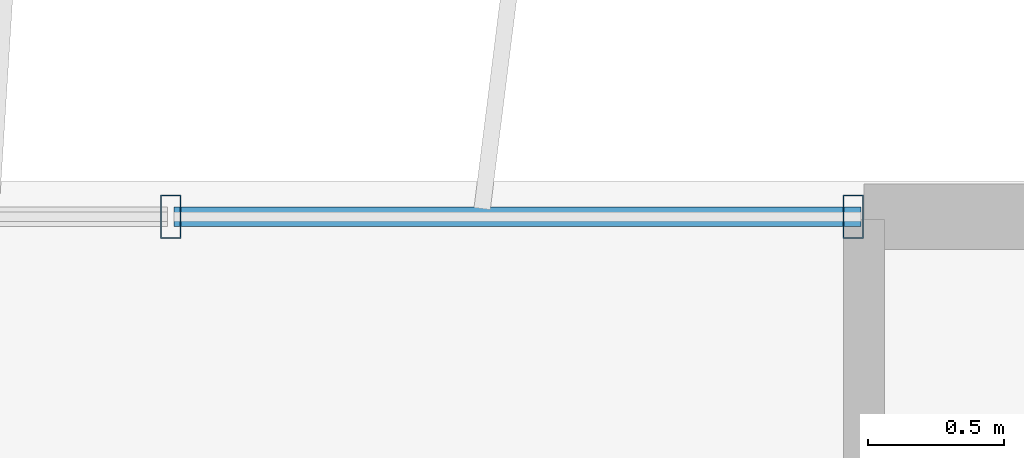
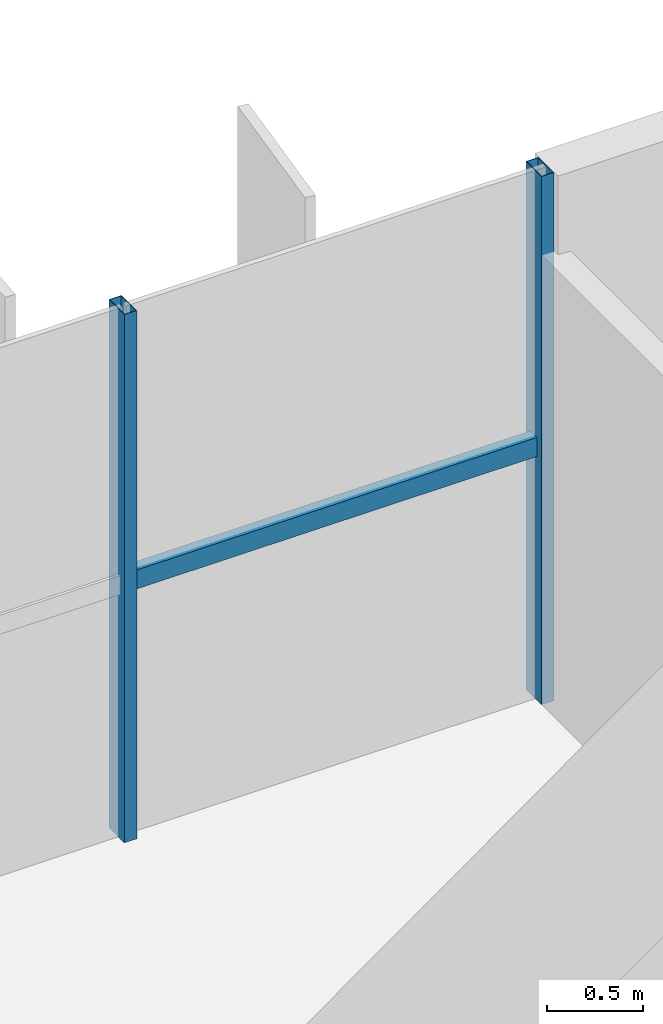
# One storey, part 12 of 22: 3 members, 1 element without a shape of its own.
"""IFC4 building model written with IfcOpenShell, lengths in metres."""

from ifc_helpers import new_model, si_unit, direction, frame, origin, origin_2d, place, context, subcontext, project, spatial, hollow_rectangle, extrude, source, transform, mapped, material, material_profile, profile_set, type_object, element, aggregate, save


model = new_model("IFC4")

# Units and contexts
model_context = context("Model", 3, precision=1e-05, world=origin(), true_north=direction((0.0, 1.0)))
body_context = subcontext(model_context, "Body", "Model", "MODEL_VIEW")
ifc_project = project(units=[si_unit("LENGTHUNIT", "METRE"), si_unit("AREAUNIT", "SQUARE_METRE"), si_unit("VOLUMEUNIT", "CUBIC_METRE"), si_unit("PLANEANGLEUNIT", "RADIAN"), si_unit("MASSUNIT", "GRAM", prefix="KILO")], contexts=[model_context])

# Site, building, storey
site_placement = place(None, origin())
site = spatial("IfcSite", under=ifc_project, at=site_placement, CompositionType="ELEMENT")
building_placement = place(site_placement, origin())
building = spatial("IfcBuilding", under=site, at=building_placement, Name="Trelvane Seafront Commons", CompositionType="ELEMENT")
storey_placement = place(building_placement, frame((0.0, 0.0, 139.300048828125)))
storey = spatial("IfcBuildingStorey", under=building, at=storey_placement, Name="L36", CompositionType="ELEMENT", Elevation=139.300048828125)

# Curtain wall, members
ifc_material = material(Name="Anodised pale-silver aluminium", Category="aluminium")
curtain_wall_type = type_object("IfcCurtainWallType", Name="ARCH-CW5-UPTOWER", PredefinedType="NOTDEFINED", material=ifc_material)
curtain_wall_placement = place(storey_placement, origin())
curtain_wall = element("IfcCurtainWall", 1, at=curtain_wall_placement, inside=storey, type_object=curtain_wall_type, Name="CW-L36-0063", PredefinedType="NOTDEFINED")
ifc_material_profile_1 = material_profile(ifc_material, hollow_rectangle(XDim=0.070068359375, YDim=0.1201171875, WallThickness=0.00390625, at=origin_2d()), Name="TRAN-70x120x4")
ifc_profile_set_1 = profile_set([ifc_material_profile_1], Name="Anodised pale-silver aluminium")
member_type_1 = type_object("IfcMemberType", Name="ARCH-CW-TRAN-120", PredefinedType="USERDEFINED", material=ifc_profile_set_1)
shared_shape_1 = source(origin(), body_context, "Body", "SweptSolid", [
    extrude(hollow_rectangle(XDim=0.070068359375, YDim=0.1201171875, WallThickness=0.00390625, at=origin_2d()), origin(), (0.0, 0.0, 1.0), 2.517333984375),
])
member_1_placement = place(storey_placement, frame((56.270751953125, 48.3701171875, 1.60791015625), z_axis=(1.0, 0.0, 0.0), x_axis=(0.0, 1.0, 0.0)))
member_1 = element("IfcMember", 2, at=member_1_placement, type_object=member_type_1, Name="CW-L36-0063-T16", ObjectType="TRANSOM", PredefinedType="USERDEFINED", context=body_context, shape_type="MappedRepresentation", body=[
    mapped(shared_shape_1, transform((0.0, 0.0, 0.0), x_axis=(1.0, 0.0, 0.0), y_axis=(0.0, 1.0, 0.0), z_axis=(0.0, 0.0, 1.0), scale=1.0)),
])
ifc_material_profile_2 = material_profile(ifc_material, hollow_rectangle(XDim=0.074951171875, YDim=0.159912109375, WallThickness=0.00390625, at=origin_2d()), Name="MULL-75x160x4")
ifc_profile_set_2 = profile_set([ifc_material_profile_2], Name="Anodised pale-silver aluminium")
member_type_2 = type_object("IfcMemberType", Name="ARCH-CW-MULL-160", PredefinedType="MULLION", material=ifc_profile_set_2)
shared_shape_2 = source(origin(), body_context, "Body", "SweptSolid", [
    extrude(hollow_rectangle(XDim=0.074951171875, YDim=0.159912109375, WallThickness=0.00390625, at=origin_2d()), origin(), (0.0, 0.0, 1.0), 3.349853515625),
])
member_2_placement = place(storey_placement, frame((56.2587890625, 48.3701171875, 0.0), z_axis=(0.0, 0.0, 1.0), x_axis=(1.0, 0.0, 0.0)))
member_2 = element("IfcMember", 3, at=member_2_placement, type_object=member_type_2, Name="CW-L36-0063-M16", PredefinedType="MULLION", context=body_context, shape_type="MappedRepresentation", body=[
    mapped(shared_shape_2, transform((0.0, 0.0, 0.0), x_axis=(1.0, 0.0, 0.0), y_axis=(0.0, 1.0, 0.0), z_axis=(0.0, 0.0, 1.0), scale=1.0)),
])
member_3_placement = place(storey_placement, frame((58.760009765625, 48.3701171875, 0.0), z_axis=(0.0, 0.0, 1.0), x_axis=(1.0, 0.0, 0.0)))
member_3 = element("IfcMember", 4, at=member_3_placement, type_object=member_type_2, Name="CW-L36-0063-M17", PredefinedType="MULLION", context=body_context, shape_type="MappedRepresentation", body=[
    mapped(shared_shape_2, transform((0.0, 0.0, 0.0), x_axis=(1.0, 0.0, 0.0), y_axis=(0.0, 1.0, 0.0), z_axis=(0.0, 0.0, 1.0), scale=1.0)),
])
aggregate(curtain_wall, [member_2, member_3, member_1])

save(model, "model.ifc")
